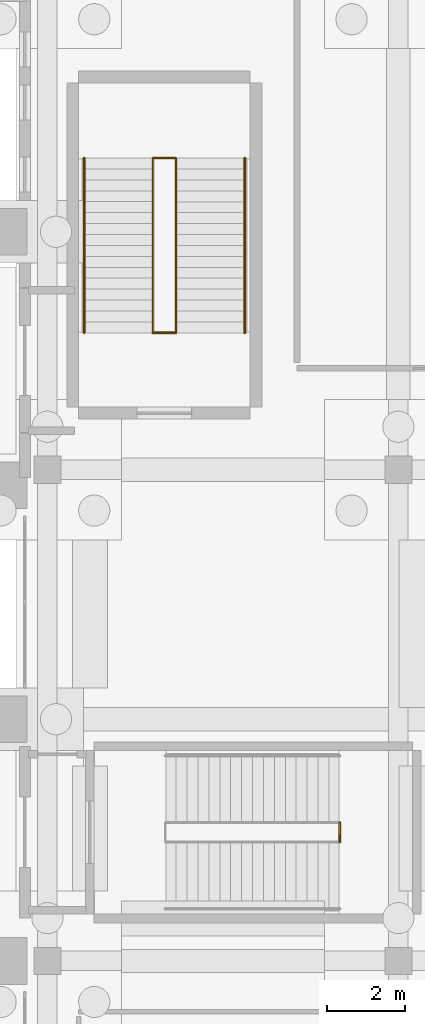
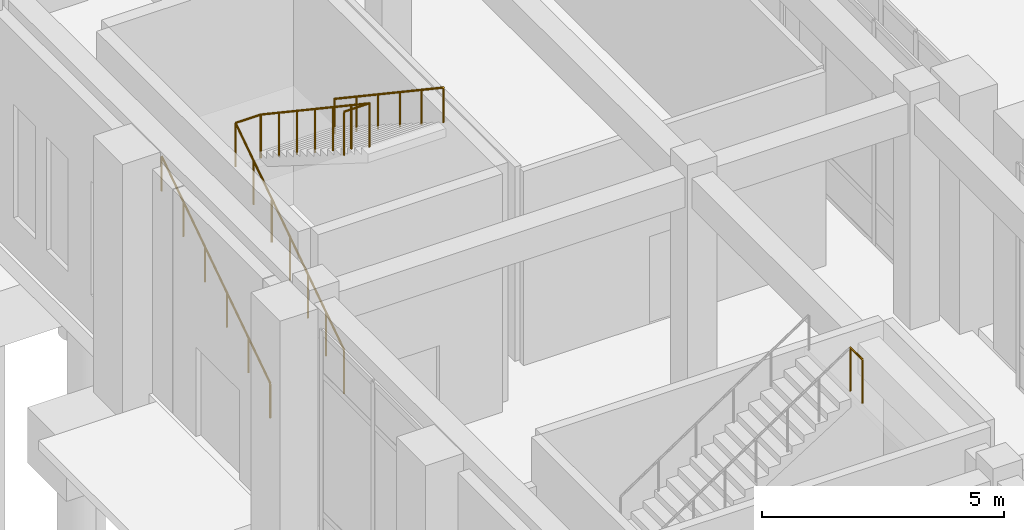
# One storey, part 133 of 143: 5 railings.
"""IFC4 building model written with IfcOpenShell, lengths in metres."""

from ifc_helpers import new_model, si_unit, derived_unit, direction, frame, origin, origin_2d, place, context, subcontext, project, spatial, circle, extrude, material, type_object, element, save


model = new_model("IFC4")

# Units and contexts
model_context = context("Model", 3, precision=1e-05, world=origin(), true_north=direction((0.0, 1.0)))
body_context = subcontext(model_context, "Body", "Model", "MODEL_VIEW")
ifc_project = project(units=[si_unit("LENGTHUNIT", "METRE"), si_unit("AREAUNIT", "SQUARE_METRE"), si_unit("VOLUMEUNIT", "CUBIC_METRE"), si_unit("PLANEANGLEUNIT", "RADIAN"), si_unit("MASSUNIT", "GRAM", prefix="KILO"), derived_unit("THERMALTRANSMITTANCEUNIT", [(si_unit("MASSUNIT", "GRAM", prefix="KILO"), 1), (si_unit("TIMEUNIT", "SECOND"), -3), (si_unit("THERMODYNAMICTEMPERATUREUNIT", "KELVIN"), -1)])], contexts=[model_context])

# Site, building, storey
site_placement = place(None, origin())
site = spatial("IfcSite", under=ifc_project, at=site_placement, CompositionType="ELEMENT")
building_placement = place(site_placement, origin())
building = spatial("IfcBuilding", under=site, at=building_placement, Name="Valcora Ridge Arena", CompositionType="ELEMENT")
storey_placement = place(building_placement, origin())
storey = spatial("IfcBuildingStorey", under=building, at=storey_placement, Name="L00", CompositionType="ELEMENT", Elevation=0.0)

# Railings
ifc_material = material(Name="Galvanized painted steel ASTM A500 Grade B", Category="steel")
railing_type_1 = type_object("IfcRailingType", Name="TY-RAILING-GRD-STAIR-1120", PredefinedType="GUARDRAIL", material=ifc_material)
railing_1_placement = place(storey_placement, frame((3.5, 73.909912109375, 0.0)))
element("IfcRailing", 1, at=railing_1_placement, inside=storey, type_object=railing_type_1, Name="GRD-STAIR-1120 RAL-SG-0069", PredefinedType="GUARDRAIL", context=body_context, shape_type="SweptSolid", body=[
    extrude(circle(Radius=0.02392578125, at=origin_2d()), frame((0.0, 0.0, 1.09619140625), z_axis=(0.0, 0.830906055479, 0.556412730775), x_axis=(-1.0, 0.0, 0.0)), (0.0, 0.0, 1.0), 5.3916015625),
    extrude(circle(Radius=0.02392578125, at=origin_2d()), frame((0.0, 4.47998046875, 4.09619140625), z_axis=(1.0, 0.0, 0.0), x_axis=(0.0, 1.0, 0.0)), (0.0, 0.0, 1.0), 0.60009765625),
    extrude(circle(Radius=0.02392578125, at=origin_2d()), frame((0.60009765625, 4.47998046875, 4.09619140625), z_axis=(0.0, -0.830906055479, 0.556412730775), x_axis=(1.0, 0.0, 0.0)), (0.0, 0.0, 1.0), 5.3916015625),
    extrude(circle(Radius=0.02099609375, at=origin_2d()), origin(), (0.0, 0.0, 1.0), 1.072021484375),
    extrude(circle(Radius=0.02099609375, at=origin_2d()), frame((0.0, 0.74658203125, 0.5)), (0.0, 0.0, 1.0), 1.072021484375),
    extrude(circle(Radius=0.02099609375, at=origin_2d()), frame((0.0, 1.493408203125, 1.0)), (0.0, 0.0, 1.0), 1.072021484375),
    extrude(circle(Radius=0.02099609375, at=origin_2d()), frame((0.0, 2.239990234375, 1.5)), (0.0, 0.0, 1.0), 1.072021484375),
    extrude(circle(Radius=0.02099609375, at=origin_2d()), frame((0.0, 2.986572265625, 2.0)), (0.0, 0.0, 1.0), 1.072021484375),
    extrude(circle(Radius=0.02099609375, at=origin_2d()), frame((0.0, 3.7333984375, 2.5)), (0.0, 0.0, 1.0), 1.072021484375),
    extrude(circle(Radius=0.02099609375, at=origin_2d()), frame((0.0, 4.47998046875, 3.0)), (0.0, 0.0, 1.0), 1.072021484375),
    extrude(circle(Radius=0.02099609375, at=origin_2d()), frame((0.60009765625, 4.47998046875, 3.0)), (0.0, 0.0, 1.0), 1.072021484375),
    extrude(circle(Radius=0.02099609375, at=origin_2d()), frame((0.60009765625, 3.7333984375, 3.5)), (0.0, 0.0, 1.0), 1.072021484375),
    extrude(circle(Radius=0.02099609375, at=origin_2d()), frame((0.60009765625, 2.986572265625, 4.0)), (0.0, 0.0, 1.0), 1.072021484375),
    extrude(circle(Radius=0.02099609375, at=origin_2d()), frame((0.60009765625, 2.239990234375, 4.5)), (0.0, 0.0, 1.0), 1.072021484375),
    extrude(circle(Radius=0.02099609375, at=origin_2d()), frame((0.60009765625, 1.493408203125, 5.0)), (0.0, 0.0, 1.0), 1.072021484375),
    extrude(circle(Radius=0.02099609375, at=origin_2d()), frame((0.60009765625, 0.74658203125, 5.5)), (0.0, 0.0, 1.0), 1.072021484375),
    extrude(circle(Radius=0.02099609375, at=origin_2d()), frame((0.60009765625, 0.0, 6.0)), (0.0, 0.0, 1.0), 1.072021484375),
])
railing_2_placement = place(storey_placement, frame((3.5, 73.909912109375, 6.0)))
element("IfcRailing", 2, at=railing_2_placement, inside=storey, type_object=railing_type_1, Name="GRD-STAIR-1120 RAL-SG-0070", PredefinedType="GUARDRAIL", context=body_context, shape_type="SweptSolid", body=[
    extrude(circle(Radius=0.02392578125, at=origin_2d()), frame((0.0, 0.0, 1.09619140625), z_axis=(1.0, 0.0, 0.0), x_axis=(0.0, 1.0, 0.0)), (0.0, 0.0, 1.0), 0.60009765625),
    extrude(circle(Radius=0.02099609375, at=origin_2d()), origin(), (0.0, 0.0, 1.0), 1.072021484375),
    extrude(circle(Radius=0.02099609375, at=origin_2d()), frame((0.60009765625, 0.0, 0.0)), (0.0, 0.0, 1.0), 1.072021484375),
])
railing_3_placement = place(storey_placement, frame((8.300048828125, 60.85009765625, 6.0)))
element("IfcRailing", 3, at=railing_3_placement, inside=storey, type_object=railing_type_1, Name="GRD-STAIR-1120 RAL-SG-0150", PredefinedType="GUARDRAIL", context=body_context, shape_type="SweptSolid", body=[
    extrude(circle(Radius=0.02392578125, at=origin_2d()), frame((0.0, 0.0, 1.09619140625), z_axis=(0.0, 1.0, 0.0), x_axis=(-1.0, 0.0, 0.0)), (0.0, 0.0, 1.0), 0.5),
    extrude(circle(Radius=0.02099609375, at=origin_2d()), origin(), (0.0, 0.0, 1.0), 1.072021484375),
    extrude(circle(Radius=0.02099609375, at=origin_2d()), frame((0.0, 0.5, 0.0)), (0.0, 0.0, 1.0), 1.072021484375),
])
railing_type_2 = type_object("IfcRailingType", Name="TY-RAILING-HR-STAIR-900", PredefinedType="HANDRAIL", material=ifc_material)
railing_4_placement = place(storey_placement, frame((1.739990234375, 73.909912109375, 0.0)))
element("IfcRailing", 4, at=railing_4_placement, inside=storey, type_object=railing_type_2, Name="HR-STAIR-900 RAL-SH-0069", PredefinedType="HANDRAIL", context=body_context, shape_type="SweptSolid", body=[
    extrude(circle(Radius=0.02392578125, at=origin_2d()), frame((0.0, 0.0, 0.8759765625), z_axis=(0.0, 0.830906055479, 0.556412730775), x_axis=(-1.0, 0.0, 0.0)), (0.0, 0.0, 1.0), 5.3916015625),
    extrude(circle(Radius=0.02099609375, at=origin_2d()), origin(), (0.0, 0.0, 1.0), 0.851806640625),
    extrude(circle(Radius=0.02099609375, at=origin_2d()), frame((0.0, 0.89599609375, 0.60009765625)), (0.0, 0.0, 1.0), 0.851806640625),
    extrude(circle(Radius=0.02099609375, at=origin_2d()), frame((0.0, 1.7919921875, 1.199951171875)), (0.0, 0.0, 1.0), 0.851806640625),
    extrude(circle(Radius=0.02099609375, at=origin_2d()), frame((0.0, 2.68798828125, 1.800048828125)), (0.0, 0.0, 1.0), 0.851806640625),
    extrude(circle(Radius=0.02099609375, at=origin_2d()), frame((0.0, 3.583984375, 2.39990234375)), (0.0, 0.0, 1.0), 0.851806640625),
    extrude(circle(Radius=0.02099609375, at=origin_2d()), frame((0.0, 4.47998046875, 3.0)), (0.0, 0.0, 1.0), 0.851806640625),
])
railing_5_placement = place(storey_placement, frame((5.860107421875, 78.389892578125, 3.0)))
element("IfcRailing", 5, at=railing_5_placement, inside=storey, type_object=railing_type_2, Name="HR-STAIR-900 RAL-SH-0070", PredefinedType="HANDRAIL", context=body_context, shape_type="SweptSolid", body=[
    extrude(circle(Radius=0.02392578125, at=origin_2d()), frame((0.0, 0.0, 0.8759765625), z_axis=(0.0, -0.830906055479, 0.556412730775), x_axis=(1.0, 0.0, 0.0)), (0.0, 0.0, 1.0), 5.3916015625),
    extrude(circle(Radius=0.02099609375, at=origin_2d()), origin(), (0.0, 0.0, 1.0), 0.851806640625),
    extrude(circle(Radius=0.02099609375, at=origin_2d()), frame((0.0, -0.89599609375, 0.60009765625)), (0.0, 0.0, 1.0), 0.851806640625),
    extrude(circle(Radius=0.02099609375, at=origin_2d()), frame((0.0, -1.7919921875, 1.199951171875)), (0.0, 0.0, 1.0), 0.851806640625),
    extrude(circle(Radius=0.02099609375, at=origin_2d()), frame((0.0, -2.68798828125, 1.800048828125)), (0.0, 0.0, 1.0), 0.851806640625),
    extrude(circle(Radius=0.02099609375, at=origin_2d()), frame((0.0, -3.583984375, 2.39990234375)), (0.0, 0.0, 1.0), 0.851806640625),
    extrude(circle(Radius=0.02099609375, at=origin_2d()), frame((0.0, -4.47998046875, 3.0)), (0.0, 0.0, 1.0), 0.851806640625),
])

save(model, "model.ifc")
